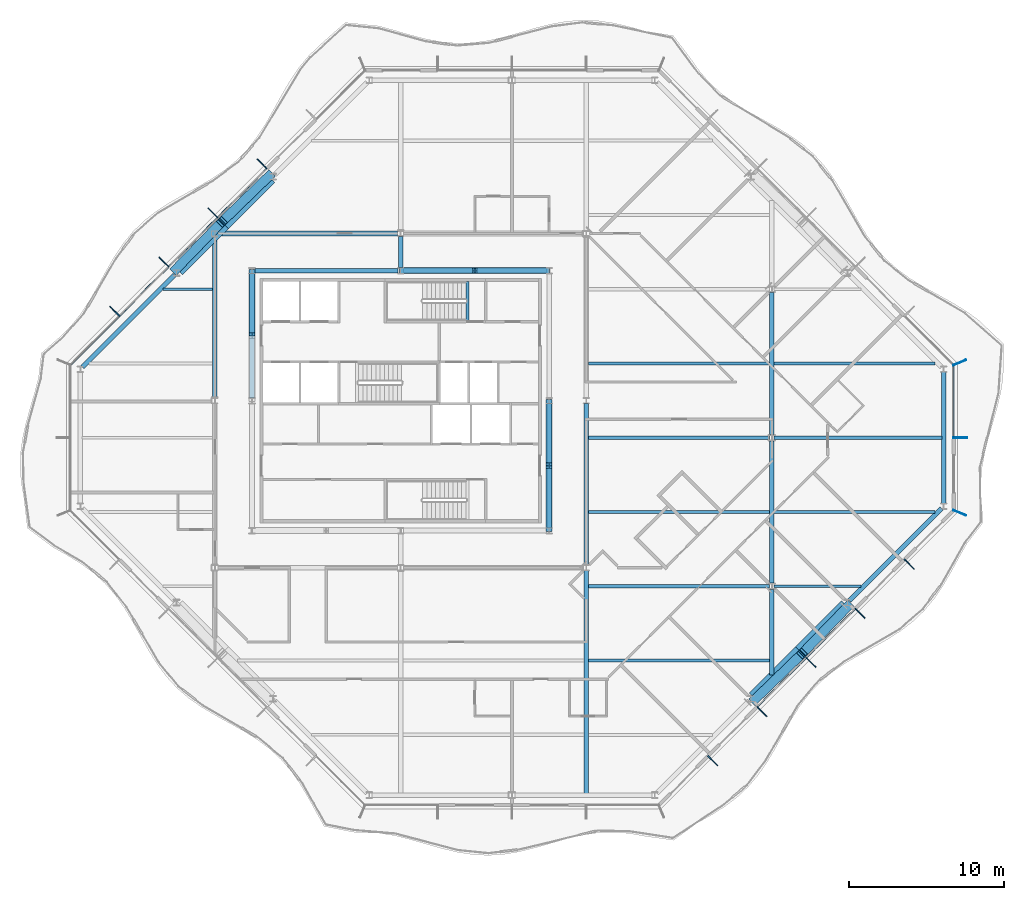
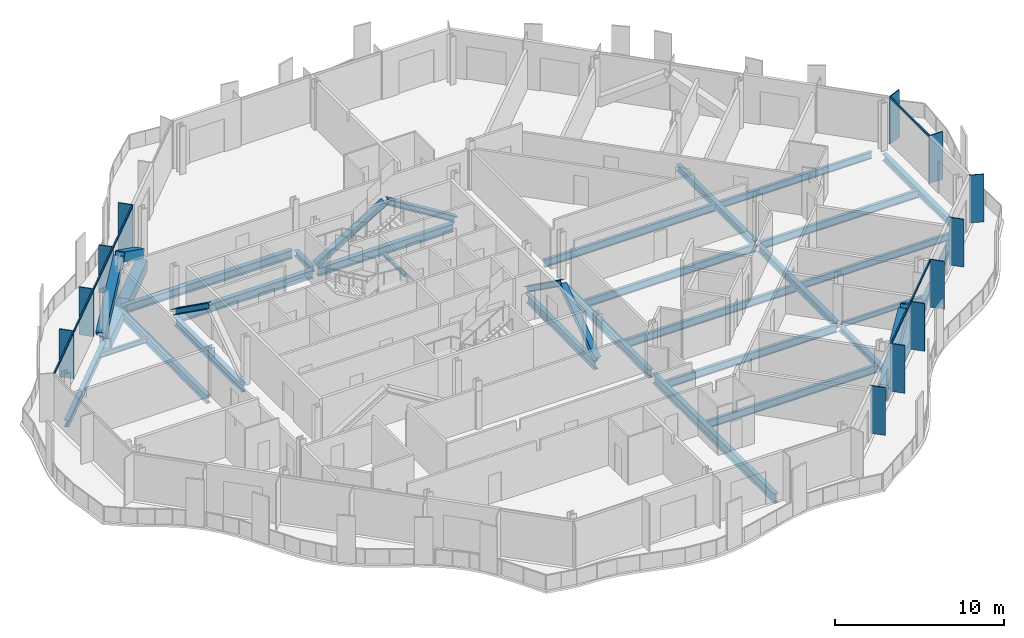
# One storey, part 4 of 17: 30 beams, 28 members, 4 elements without a shape of their own.
"""IFC4 building model written with IfcOpenShell, lengths in metres."""

from ifc_helpers import new_model, si_unit, direction, frame, origin, origin_2d, place, context, subcontext, project, spatial, rectangle, hollow_rectangle, i_section, extrude, material, material_profile, profile_set, type_object, element, aggregate, save


model = new_model("IFC4")

# Units and contexts
model_context = context("Model", 3, precision=1e-05, world=origin(), true_north=direction((0.0, 1.0)))
body_context = subcontext(model_context, "Body", "Model", "MODEL_VIEW")
ifc_project = project(units=[si_unit("LENGTHUNIT", "METRE"), si_unit("AREAUNIT", "SQUARE_METRE"), si_unit("VOLUMEUNIT", "CUBIC_METRE"), si_unit("PLANEANGLEUNIT", "RADIAN"), si_unit("MASSUNIT", "GRAM", prefix="KILO")], contexts=[model_context])

# Site, building, storey
site_placement = place(None, origin())
site = spatial("IfcSite", under=ifc_project, at=site_placement, CompositionType="ELEMENT")
building_placement = place(site_placement, origin())
building = spatial("IfcBuilding", under=site, at=building_placement, Name="Cairn Pilgrim Tower", CompositionType="ELEMENT")
storey_placement = place(building_placement, frame((0.0, 0.0, 243.0)))
storey = spatial("IfcBuildingStorey", under=building, at=storey_placement, Name="L62", CompositionType="ELEMENT", Elevation=243.0)

# Members
ifc_material_1 = material(Name="Structural steel S460M", Category="steel")
ifc_material_profile_1 = material_profile(ifc_material_1, hollow_rectangle(XDim=0.60009765625, YDim=0.60009765625, WallThickness=0.034912109375, at=origin_2d()), Name="BOX 600x600x35")
ifc_profile_set_1 = profile_set([ifc_material_profile_1], Name="Structural steel S460M")
member_type_1 = type_object("IfcMemberType", Name="BOX 600x600x35 BRACE", PredefinedType="BRACE", material=ifc_profile_set_1)
for number, where, z_axis, x_axis, name in (
    (1, (30.01318359375, -16.99462890625, 0.14990234375), (0.611806144004, 0.593141693494, 0.523331800675), (-0.696070308653, 0.717973624454, 0.0), "XB-SE2-SE3-1"),
    (2, (36.194580078125, -10.813232421875, 0.14990234375), (-0.593141693494, -0.611806144004, 0.523331800675), (0.717973624454, -0.696070308653, 0.0), "XB-SE2-SE3-2"),
    (3, (-1.213134765625, 16.99462890625, 0.14990234375), (-0.611806144004, -0.593141693494, 0.523331800675), (0.696070308653, -0.717973624454, 0.0), "XB-NW2-NW3-1"),
    (4, (-7.394775390625, 10.813232421875, 0.14990234375), (0.593141693494, 0.611806144004, 0.523331800675), (-0.717973624454, 0.696070308653, 0.0), "XB-NW2-NW3-2"),
):
    element("IfcMember", number, at=place(storey_placement, frame(where, z_axis=z_axis, x_axis=x_axis)), inside=storey, type_object=member_type_1, Name=name, PredefinedType="BRACE", context=body_context, shape_type="SweptSolid", body=[
        extrude(hollow_rectangle(XDim=0.60009765625, YDim=0.60009765625, WallThickness=0.034912109375, at=origin_2d()), origin(), (0.0, 0.0, 1.0), 5.035888671875),
    ])

# Beams
ifc_material_2 = material(Name="Structural steel S355J2", Category="steel")
ifc_material_profile_2 = material_profile(ifc_material_2, hollow_rectangle(XDim=0.699951171875, YDim=0.800048828125, WallThickness=0.0400390625, at=origin_2d()), Name="BOX 700x800x40")
ifc_profile_set_2 = profile_set([ifc_material_profile_2], Name="Structural steel S355J2")
beam_type_1 = type_object("IfcBeamType", Name="BOX 700x800x40 RING GIRDER", PredefinedType="SPANDREL", material=ifc_profile_set_2)
for number, where, z_axis, x_axis, name in (
    (5, (29.97998046875, -16.747314453125, -0.550048828125), (0.707106781187, 0.707106781187, 0.0), (-0.707106781187, 0.707106781187, 0.0), "RG3-SE2-SE3-1"),
    (6, (32.963623046875, -13.763671875, -0.550048828125), (0.707106781187, 0.707106781187, 0.0), (-0.707106781187, 0.707106781187, 0.0), "RG3-SE2-SE3-2"),
    (7, (-1.179931640625, 16.747314453125, -0.550048828125), (-0.707106781187, -0.707106781187, 0.0), (0.707106781187, -0.707106781187, 0.0), "RG3-NW2-NW3-1"),
    (8, (-4.16357421875, 13.763671875, -0.550048828125), (-0.707106781187, -0.707106781187, 0.0), (0.707106781187, -0.707106781187, 0.0), "RG3-NW2-NW3-2"),
):
    element("IfcBeam", number, at=place(storey_placement, frame(where, z_axis=z_axis, x_axis=x_axis)), inside=storey, type_object=beam_type_1, Name=name, PredefinedType="SPANDREL", context=body_context, shape_type="SweptSolid", body=[
        extrude(hollow_rectangle(XDim=0.699951171875, YDim=0.800048828125, WallThickness=0.0400390625, at=origin_2d()), origin(), (0.0, 0.0, 1.0), 4.219482421875),
    ])

# Curtain wall, members
ifc_material_3 = material(Name="Aluminium alloy 6063-T6 bronze anodised with Bronze tinted laminated low-E glass 8+16+8.8", Category="aluminium")
curtain_wall_type_1 = type_object("IfcCurtainWallType", Name="CHAMFER CORNER CURTAIN WALL", PredefinedType="NOTDEFINED", material=ifc_material_3)
curtain_wall_1_placement = place(storey_placement, origin())
curtain_wall_1 = element("IfcCurtainWall", 9, at=curtain_wall_1_placement, inside=storey, type_object=curtain_wall_type_1, Name="Chamfer Corner Curtain Wall SE", PredefinedType="NOTDEFINED")
ifc_material_4 = material(Name="Aluminium alloy 6063-T6 bronze anodised", Category="aluminium")
ifc_material_profile_3 = material_profile(ifc_material_4, rectangle(XDim=0.89990234375, YDim=0.06005859375, at=origin_2d()), Name="FIN MULLION 60x900 BRONZE")
ifc_profile_set_3 = profile_set([ifc_material_profile_3], Name="Aluminium alloy 6063-T6 bronze anodised")
member_type_2 = type_object("IfcMemberType", Name="FIN MULLION 60x900 BRONZE", PredefinedType="MULLION", material=ifc_profile_set_3)
member_1_placement = place(storey_placement, frame((27.369140625, -20.871337890625, 0.0), z_axis=(0.0, 0.0, 1.0), x_axis=(0.707106781187, -0.707106781187, 0.0)))
member_1 = element("IfcMember", 10, at=member_1_placement, type_object=member_type_2, Name="Fin mullion SE2", PredefinedType="MULLION", context=body_context, shape_type="SweptSolid", body=[
    extrude(rectangle(XDim=0.89990234375, YDim=0.06005859375, at=origin_2d()), origin(), (0.0, 0.0, 1.0), 3.449951171875),
])
member_2_placement = place(storey_placement, frame((30.544677734375, -17.69580078125, 0.0), z_axis=(0.0, 0.0, 1.0), x_axis=(0.707106781187, -0.707106781187, 0.0)))
member_2 = element("IfcMember", 11, at=member_2_placement, type_object=member_type_2, Name="Fin mullion SE3", PredefinedType="MULLION", context=body_context, shape_type="SweptSolid", body=[
    extrude(rectangle(XDim=0.89990234375, YDim=0.06005859375, at=origin_2d()), origin(), (0.0, 0.0, 1.0), 3.449951171875),
])
member_3_placement = place(storey_placement, frame((33.72021484375, -14.520263671875, 0.0), z_axis=(0.0, 0.0, 1.0), x_axis=(0.707106781187, -0.707106781187, 0.0)))
member_3 = element("IfcMember", 12, at=member_3_placement, type_object=member_type_2, Name="Fin mullion SE4", PredefinedType="MULLION", context=body_context, shape_type="SweptSolid", body=[
    extrude(rectangle(XDim=0.89990234375, YDim=0.06005859375, at=origin_2d()), origin(), (0.0, 0.0, 1.0), 3.449951171875),
])
member_4_placement = place(storey_placement, frame((36.895751953125, -11.3447265625, 0.0), z_axis=(0.0, 0.0, 1.0), x_axis=(0.707106781187, -0.707106781187, 0.0)))
member_4 = element("IfcMember", 13, at=member_4_placement, type_object=member_type_2, Name="Fin mullion SE5", PredefinedType="MULLION", context=body_context, shape_type="SweptSolid", body=[
    extrude(rectangle(XDim=0.89990234375, YDim=0.06005859375, at=origin_2d()), origin(), (0.0, 0.0, 1.0), 3.449951171875),
])
member_5_placement = place(storey_placement, frame((40.0712890625, -8.1689453125, 0.0), z_axis=(0.0, 0.0, 1.0), x_axis=(0.707106781187, -0.707106781187, 0.0)))
member_5 = element("IfcMember", 14, at=member_5_placement, type_object=member_type_2, Name="Fin mullion SE6", PredefinedType="MULLION", context=body_context, shape_type="SweptSolid", body=[
    extrude(rectangle(XDim=0.89990234375, YDim=0.06005859375, at=origin_2d()), origin(), (0.0, 0.0, 1.0), 3.449951171875),
])

curtain_wall_type_2 = type_object("IfcCurtainWallType", Name="TOWER STICK CURTAIN WALL EW", PredefinedType="NOTDEFINED", material=ifc_material_3)
curtain_wall_2_placement = place(storey_placement, origin())
curtain_wall_2 = element("IfcCurtainWall", 15, at=curtain_wall_2_placement, inside=storey, type_object=curtain_wall_type_2, Name="Tower Stick Curtain Wall Ew E", PredefinedType="NOTDEFINED")
member_6_placement = place(storey_placement, frame((43.338134765625, -4.857177734375, 0.0), z_axis=(0.0, 0.0, 1.0), x_axis=(0.923879532511, -0.382683432365, 0.0)))
member_6 = element("IfcMember", 16, at=member_6_placement, type_object=member_type_2, Name="Fin mullion E1", PredefinedType="MULLION", context=body_context, shape_type="SweptSolid", body=[
    extrude(rectangle(XDim=0.89990234375, YDim=0.06005859375, at=origin_2d()), origin(), (0.0, 0.0, 1.0), 3.449951171875),
])
member_7_placement = place(storey_placement, frame((43.3701171875, 0.0, 0.0), z_axis=(0.0, 0.0, 1.0), x_axis=(1.0, 0.0, 0.0)))
member_7 = element("IfcMember", 17, at=member_7_placement, type_object=member_type_2, Name="Fin mullion E2", PredefinedType="MULLION", context=body_context, shape_type="SweptSolid", body=[
    extrude(rectangle(XDim=0.89990234375, YDim=0.06005859375, at=origin_2d()), origin(), (0.0, 0.0, 1.0), 3.449951171875),
])

# Curtain wall, member
curtain_wall_3_placement = place(storey_placement, origin())
curtain_wall_3 = element("IfcCurtainWall", 18, at=curtain_wall_3_placement, inside=storey, type_object=curtain_wall_type_1, Name="Chamfer Corner Curtain Wall NE", PredefinedType="NOTDEFINED")
member_8_placement = place(storey_placement, frame((43.338134765625, 4.857177734375, 0.0), z_axis=(0.0, 0.0, 1.0), x_axis=(0.923879532511, 0.382683432365, 0.0)))
member_8 = element("IfcMember", 19, at=member_8_placement, type_object=member_type_2, Name="Fin mullion NE1", PredefinedType="MULLION", context=body_context, shape_type="SweptSolid", body=[
    extrude(rectangle(XDim=0.89990234375, YDim=0.06005859375, at=origin_2d()), origin(), (0.0, 0.0, 1.0), 3.449951171875),
])
aggregate(curtain_wall_3, [member_8])

# Curtain wall, members
curtain_wall_4_placement = place(storey_placement, origin())
curtain_wall_4 = element("IfcCurtainWall", 20, at=curtain_wall_4_placement, inside=storey, type_object=curtain_wall_type_1, Name="Chamfer Corner Curtain Wall NW", PredefinedType="NOTDEFINED")
member_9_placement = place(storey_placement, frame((-1.74462890625, 17.69580078125, 0.0), z_axis=(0.0, 0.0, 1.0), x_axis=(-0.707106781187, 0.707106781187, 0.0)))
member_9 = element("IfcMember", 21, at=member_9_placement, type_object=member_type_2, Name="Fin mullion NW3", PredefinedType="MULLION", context=body_context, shape_type="SweptSolid", body=[
    extrude(rectangle(XDim=0.89990234375, YDim=0.06005859375, at=origin_2d()), origin(), (0.0, 0.0, 1.0), 3.449951171875),
])
member_10_placement = place(storey_placement, frame((-4.920166015625, 14.520263671875, 0.0), z_axis=(0.0, 0.0, 1.0), x_axis=(-0.707106781187, 0.707106781187, 0.0)))
member_10 = element("IfcMember", 22, at=member_10_placement, type_object=member_type_2, Name="Fin mullion NW4", PredefinedType="MULLION", context=body_context, shape_type="SweptSolid", body=[
    extrude(rectangle(XDim=0.89990234375, YDim=0.06005859375, at=origin_2d()), origin(), (0.0, 0.0, 1.0), 3.449951171875),
])
member_11_placement = place(storey_placement, frame((-8.095703125, 11.3447265625, 0.0), z_axis=(0.0, 0.0, 1.0), x_axis=(-0.707106781187, 0.707106781187, 0.0)))
member_11 = element("IfcMember", 23, at=member_11_placement, type_object=member_type_2, Name="Fin mullion NW5", PredefinedType="MULLION", context=body_context, shape_type="SweptSolid", body=[
    extrude(rectangle(XDim=0.89990234375, YDim=0.06005859375, at=origin_2d()), origin(), (0.0, 0.0, 1.0), 3.449951171875),
])
member_12_placement = place(storey_placement, frame((-11.271484375, 8.1689453125, 0.0), z_axis=(0.0, 0.0, 1.0), x_axis=(-0.707106781187, 0.707106781187, 0.0)))
member_12 = element("IfcMember", 24, at=member_12_placement, type_object=member_type_2, Name="Fin mullion NW6", PredefinedType="MULLION", context=body_context, shape_type="SweptSolid", body=[
    extrude(rectangle(XDim=0.89990234375, YDim=0.06005859375, at=origin_2d()), origin(), (0.0, 0.0, 1.0), 3.449951171875),
])

# Members
ifc_material_profile_4 = material_profile(ifc_material_2, i_section(OverallWidth=0.39794921875, OverallDepth=0.386962890625, WebThickness=0.02099609375, FlangeThickness=0.033203125, FilletRadius=0.014892578125, at=origin_2d()), Name="HD 400x262")
ifc_profile_set_4 = profile_set([ifc_material_profile_4], Name="Structural steel S355J2")
member_type_3 = type_object("IfcMemberType", Name="HD 400x262 BRACE", PredefinedType="BRACE", material=ifc_profile_set_4)
for number, where, z_axis, x_axis, name in (
    (25, (16.800048828125, -5.960205078125, 0.10009765625), (0.0, 0.814462005215, 0.580216892258), (-1.0, 0.0, 0.0), "KB-2A"),
    (26, (16.800048828125, 2.360107421875, 0.10009765625), (0.0, -0.814462005215, 0.580216892258), (1.0, 0.0, 0.0), "KB-2B"),
):
    element("IfcMember", number, at=place(storey_placement, frame(where, z_axis=z_axis, x_axis=x_axis)), inside=storey, type_object=member_type_3, Name=name, PredefinedType="BRACE", context=body_context, shape_type="SweptSolid", body=[
        extrude(i_section(OverallWidth=0.39794921875, OverallDepth=0.386962890625, WebThickness=0.02099609375, FlangeThickness=0.033203125, FilletRadius=0.014892578125, at=origin_2d()), origin(), (0.0, 0.0, 1.0), 4.999755859375),
    ])
for number, where, z_axis, x_axis, name in (
    (27, (16.76025390625, 10.800048828125, 0.10009765625), (-0.85122905108, 0.0, 0.524794343145), (0.0, -1.0, 0.0), "KB-3A"),
    (28, (7.23974609375, 10.800048828125, 0.10009765625), (0.85122905108, 0.0, 0.524794343145), (0.0, 1.0, 0.0), "KB-3B"),
):
    element("IfcMember", number, at=place(storey_placement, frame(where, z_axis=z_axis, x_axis=x_axis)), inside=storey, type_object=member_type_3, Name=name, PredefinedType="BRACE", context=body_context, shape_type="SweptSolid", body=[
        extrude(i_section(OverallWidth=0.39794921875, OverallDepth=0.386962890625, WebThickness=0.02099609375, FlangeThickness=0.033203125, FilletRadius=0.014892578125, at=origin_2d()), origin(), (0.0, 0.0, 1.0), 5.530029296875),
    ])
member_13_placement = place(storey_placement, frame((-2.39990234375, 10.76025390625, 0.10009765625), z_axis=(0.0, -0.814462005215, 0.580216892258), x_axis=(1.0, 0.0, 0.0)))
element("IfcMember", 29, at=member_13_placement, inside=storey, type_object=member_type_3, Name="KB-4A", PredefinedType="BRACE", context=body_context, shape_type="SweptSolid", body=[
    extrude(i_section(OverallWidth=0.39794921875, OverallDepth=0.386962890625, WebThickness=0.02099609375, FlangeThickness=0.033203125, FilletRadius=0.014892578125, at=origin_2d()), origin(), (0.0, 0.0, 1.0), 4.999755859375),
])

# Beams
ifc_material_profile_5 = material_profile(ifc_material_2, i_section(OverallWidth=0.300048828125, OverallDepth=0.39990234375, WebThickness=0.013427734375, FlangeThickness=0.02392578125, FilletRadius=0.027099609375, at=origin_2d()), Name="HEB 400")
ifc_profile_set_5 = profile_set([ifc_material_profile_5], Name="Structural steel S355J2")
beam_type_2 = type_object("IfcBeamType", Name="HEB 400 GIRDER", PredefinedType="BEAM", material=ifc_profile_set_5)
beam_1_placement = place(storey_placement, frame((7.199951171875, 10.9990234375, -0.35009765625), z_axis=(0.0, 1.0, 0.0), x_axis=(-1.0, 0.0, 0.0)))
element("IfcBeam", 30, at=beam_1_placement, inside=storey, type_object=beam_type_2, Name="PG3-E2", PredefinedType="BEAM", context=body_context, shape_type="SweptSolid", body=[
    extrude(i_section(OverallWidth=0.300048828125, OverallDepth=0.39990234375, WebThickness=0.013427734375, FlangeThickness=0.02392578125, FilletRadius=0.027099609375, at=origin_2d()), origin(), (0.0, 0.0, 1.0), 2.00390625),
])
beam_2_placement = place(storey_placement, frame((31.199951171875, -15.34521484375, -0.35009765625), z_axis=(0.0, 1.0, 0.0), x_axis=(-1.0, 0.0, 0.0)))
element("IfcBeam", 31, at=beam_2_placement, inside=storey, type_object=beam_type_2, Name="PG5-1", PredefinedType="BEAM", context=body_context, shape_type="SweptSolid", body=[
    extrude(i_section(OverallWidth=0.300048828125, OverallDepth=0.39990234375, WebThickness=0.013427734375, FlangeThickness=0.02392578125, FilletRadius=0.027099609375, at=origin_2d()), origin(), (0.0, 0.0, 1.0), 5.545654296875),
])
ifc_material_profile_6 = material_profile(ifc_material_2, i_section(OverallWidth=0.300048828125, OverallDepth=0.5, WebThickness=0.014404296875, FlangeThickness=0.028076171875, FilletRadius=0.027099609375, at=origin_2d()), Name="HEB 500")
ifc_profile_set_6 = profile_set([ifc_material_profile_6], Name="Structural steel S355J2")
beam_type_3 = type_object("IfcBeamType", Name="HEB 500 GIRDER", PredefinedType="BEAM", material=ifc_profile_set_6)
for number, where, z_axis, x_axis, name in (
    (32, (31.199951171875, -9.400390625, -0.39990234375), (0.0, 1.0, 0.0), (-1.0, 0.0, 0.0), "PG5-2"),
    (33, (31.199951171875, 0.199462890625, -0.39990234375), (0.0, 1.0, 0.0), (-1.0, 0.0, 0.0), "PG5-3"),
):
    element("IfcBeam", number, at=place(storey_placement, frame(where, z_axis=z_axis, x_axis=x_axis)), inside=storey, type_object=beam_type_3, Name=name, PredefinedType="BEAM", context=body_context, shape_type="SweptSolid", body=[
        extrude(i_section(OverallWidth=0.300048828125, OverallDepth=0.5, WebThickness=0.014404296875, FlangeThickness=0.028076171875, FilletRadius=0.027099609375, at=origin_2d()), origin(), (0.0, 0.0, 1.0), 9.200927734375),
    ])
ifc_material_profile_7 = material_profile(ifc_material_2, i_section(OverallWidth=0.300048828125, OverallDepth=0.5, WebThickness=0.014404296875, FlangeThickness=0.028076171875, FilletRadius=0.027099609375, at=origin_2d()), Name="HEB 500")
ifc_profile_set_7 = profile_set([ifc_material_profile_7], Name="Structural steel S355J2")
beam_type_4 = type_object("IfcBeamType", Name="HEB 500 RING GIRDER", PredefinedType="SPANDREL", material=ifc_profile_set_7)
beam_3_placement = place(storey_placement, frame((36.204345703125, -10.52294921875, -0.39990234375), z_axis=(0.707106781187, 0.707106781187, 0.0), x_axis=(-0.707106781187, 0.707106781187, 0.0)))
element("IfcBeam", 34, at=beam_3_placement, inside=storey, type_object=beam_type_4, Name="RG3-SE3-E1", PredefinedType="SPANDREL", context=body_context, shape_type="SweptSolid", body=[
    extrude(i_section(OverallWidth=0.300048828125, OverallDepth=0.5, WebThickness=0.014404296875, FlangeThickness=0.028076171875, FilletRadius=0.027099609375, at=origin_2d()), origin(), (0.0, 0.0, 1.0), 8.438720703125),
])
beam_4_placement = place(storey_placement, frame((42.300048828125, -4.245361328125, -0.39990234375), z_axis=(0.0, 1.0, 0.0), x_axis=(-1.0, 0.0, 0.0)))
element("IfcBeam", 35, at=beam_4_placement, inside=storey, type_object=beam_type_4, Name="RG3-E1-NE1", PredefinedType="SPANDREL", context=body_context, shape_type="SweptSolid", body=[
    extrude(i_section(OverallWidth=0.300048828125, OverallDepth=0.5, WebThickness=0.014404296875, FlangeThickness=0.028076171875, FilletRadius=0.027099609375, at=origin_2d()), origin(), (0.0, 0.0, 1.0), 8.49072265625),
])
beam_5_placement = place(storey_placement, frame((-7.404296875, 10.52294921875, -0.39990234375), z_axis=(-0.707106781187, -0.707106781187, 0.0), x_axis=(0.707106781187, -0.707106781187, 0.0)))
element("IfcBeam", 36, at=beam_5_placement, inside=storey, type_object=beam_type_4, Name="RG3-NW3-W1", PredefinedType="SPANDREL", context=body_context, shape_type="SweptSolid", body=[
    extrude(i_section(OverallWidth=0.300048828125, OverallDepth=0.5, WebThickness=0.014404296875, FlangeThickness=0.028076171875, FilletRadius=0.027099609375, at=origin_2d()), origin(), (0.0, 0.0, 1.0), 8.438720703125),
])
ifc_material_profile_8 = material_profile(ifc_material_2, i_section(OverallWidth=0.300048828125, OverallDepth=0.60009765625, WebThickness=0.015380859375, FlangeThickness=0.030029296875, FilletRadius=0.027099609375, at=origin_2d()), Name="HEB 600")
ifc_profile_set_8 = profile_set([ifc_material_profile_8], Name="Structural steel S355J2")
beam_type_5 = type_object("IfcBeamType", Name="HEB 600 CORE BEAM", PredefinedType="BEAM", material=ifc_profile_set_8)
beam_6_placement = place(storey_placement, frame((16.800048828125, -5.82080078125, -0.449951171875), z_axis=(0.0, 1.0, 0.0), x_axis=(-1.0, 0.0, 0.0)))
element("IfcBeam", 37, at=beam_6_placement, inside=storey, type_object=beam_type_5, Name="CB-3", PredefinedType="BEAM", context=body_context, shape_type="SweptSolid", body=[
    extrude(i_section(OverallWidth=0.300048828125, OverallDepth=0.60009765625, WebThickness=0.015380859375, FlangeThickness=0.030029296875, FilletRadius=0.027099609375, at=origin_2d()), origin(), (0.0, 0.0, 1.0), 8.041748046875),
])
beam_7_placement = place(storey_placement, frame((16.620849609375, 10.800048828125, -0.449951171875), z_axis=(-1.0, 0.0, 0.0), x_axis=(0.0, -1.0, 0.0)))
element("IfcBeam", 38, at=beam_7_placement, inside=storey, type_object=beam_type_5, Name="CB-5", PredefinedType="BEAM", context=body_context, shape_type="SweptSolid", body=[
    extrude(i_section(OverallWidth=0.300048828125, OverallDepth=0.60009765625, WebThickness=0.015380859375, FlangeThickness=0.030029296875, FilletRadius=0.027099609375, at=origin_2d()), origin(), (0.0, 0.0, 1.0), 9.24169921875),
])
beam_8_placement = place(storey_placement, frame((7.02099609375, 10.800048828125, -0.449951171875), z_axis=(-1.0, 0.0, 0.0), x_axis=(0.0, -1.0, 0.0)))
element("IfcBeam", 39, at=beam_8_placement, inside=storey, type_object=beam_type_5, Name="CB-6", PredefinedType="BEAM", context=body_context, shape_type="SweptSolid", body=[
    extrude(i_section(OverallWidth=0.300048828125, OverallDepth=0.60009765625, WebThickness=0.015380859375, FlangeThickness=0.030029296875, FilletRadius=0.027099609375, at=origin_2d()), origin(), (0.0, 0.0, 1.0), 9.241943359375),
])
beam_9_placement = place(storey_placement, frame((-2.39990234375, 10.620849609375, -0.449951171875), z_axis=(0.0, -1.0, 0.0), x_axis=(1.0, 0.0, 0.0)))
element("IfcBeam", 40, at=beam_9_placement, inside=storey, type_object=beam_type_5, Name="CB-7", PredefinedType="BEAM", context=body_context, shape_type="SweptSolid", body=[
    extrude(i_section(OverallWidth=0.300048828125, OverallDepth=0.60009765625, WebThickness=0.015380859375, FlangeThickness=0.030029296875, FilletRadius=0.027099609375, at=origin_2d()), origin(), (0.0, 0.0, 1.0), 8.041748046875),
])
ifc_material_profile_9 = material_profile(ifc_material_2, i_section(OverallWidth=0.300048828125, OverallDepth=0.60009765625, WebThickness=0.015380859375, FlangeThickness=0.030029296875, FilletRadius=0.027099609375, at=origin_2d()), Name="HEB 600")
ifc_profile_set_9 = profile_set([ifc_material_profile_9], Name="Structural steel S355J2")
beam_type_6 = type_object("IfcBeamType", Name="HEB 600 GIRDER", PredefinedType="BEAM", material=ifc_profile_set_9)
beam_10_placement = place(storey_placement, frame((-4.800048828125, 2.596923828125, -0.449951171875), z_axis=(0.0, 1.0, 0.0), x_axis=(-1.0, 0.0, 0.0)))
element("IfcBeam", 41, at=beam_10_placement, inside=storey, type_object=beam_type_6, Name="PG2-3", PredefinedType="BEAM", context=body_context, shape_type="SweptSolid", body=[
    extrude(i_section(OverallWidth=0.300048828125, OverallDepth=0.60009765625, WebThickness=0.015380859375, FlangeThickness=0.030029296875, FilletRadius=0.027099609375, at=origin_2d()), origin(), (0.0, 0.0, 1.0), 10.34814453125),
])
beam_11_placement = place(storey_placement, frame((19.199951171875, -8.202880859375, -0.449951171875), z_axis=(0.0, 1.0, 0.0), x_axis=(-1.0, 0.0, 0.0)))
element("IfcBeam", 42, at=beam_11_placement, inside=storey, type_object=beam_type_6, Name="PG4-2", PredefinedType="BEAM", context=body_context, shape_type="SweptSolid", body=[
    extrude(i_section(OverallWidth=0.300048828125, OverallDepth=0.60009765625, WebThickness=0.015380859375, FlangeThickness=0.030029296875, FilletRadius=0.027099609375, at=origin_2d()), origin(), (0.0, 0.0, 1.0), 10.40576171875),
])
ifc_material_profile_10 = material_profile(ifc_material_2, i_section(OverallWidth=0.300048828125, OverallDepth=0.60009765625, WebThickness=0.015380859375, FlangeThickness=0.030029296875, FilletRadius=0.027099609375, at=origin_2d()), Name="HEB 600")
ifc_profile_set_10 = profile_set([ifc_material_profile_10], Name="Structural steel S355J2")
beam_type_7 = type_object("IfcBeamType", Name="HEB 600 INNER GIRDER", PredefinedType="BEAM", material=ifc_profile_set_10)
beam_12_placement = place(storey_placement, frame((-4.60302734375, 13.199951171875, -0.449951171875), z_axis=(1.0, 0.0, 0.0), x_axis=(0.0, 1.0, 0.0)))
element("IfcBeam", 43, at=beam_12_placement, inside=storey, type_object=beam_type_7, Name="IG2-1", PredefinedType="BEAM", context=body_context, shape_type="SweptSolid", body=[
    extrude(i_section(OverallWidth=0.300048828125, OverallDepth=0.60009765625, WebThickness=0.015380859375, FlangeThickness=0.030029296875, FilletRadius=0.027099609375, at=origin_2d()), origin(), (0.0, 0.0, 1.0), 11.60595703125),
])
ifc_material_profile_11 = material_profile(ifc_material_2, i_section(OverallWidth=0.300048828125, OverallDepth=0.699951171875, WebThickness=0.01708984375, FlangeThickness=0.031982421875, FilletRadius=0.027099609375, at=origin_2d()), Name="HEB 700")
ifc_profile_set_11 = profile_set([ifc_material_profile_11], Name="Structural steel S355J2")
beam_type_8 = type_object("IfcBeamType", Name="HEB 700 GIRDER", PredefinedType="BEAM", material=ifc_profile_set_11)
beam_13_placement = place(storey_placement, frame((19.199951171875, -22.97998046875, -0.5), z_axis=(0.0, 1.0, 0.0), x_axis=(-1.0, 0.0, 0.0)))
element("IfcBeam", 44, at=beam_13_placement, inside=storey, type_object=beam_type_8, Name="PG4-1", PredefinedType="BEAM", context=body_context, shape_type="SweptSolid", body=[
    extrude(i_section(OverallWidth=0.300048828125, OverallDepth=0.699951171875, WebThickness=0.01708984375, FlangeThickness=0.031982421875, FilletRadius=0.027099609375, at=origin_2d()), origin(), (0.0, 0.0, 1.0), 14.383056640625),
])
ifc_material_profile_12 = material_profile(ifc_material_2, i_section(OverallWidth=0.169921875, OverallDepth=0.360107421875, WebThickness=0.008056640625, FlangeThickness=0.0126953125, FilletRadius=0.01806640625, at=origin_2d()), Name="IPE 360")
ifc_profile_set_12 = profile_set([ifc_material_profile_12], Name="Structural steel S355J2")
beam_type_9 = type_object("IfcBeamType", Name="IPE 360 SECONDARY BEAM", PredefinedType="JOIST", material=ifc_profile_set_12)
beam_14_placement = place(storey_placement, frame((31.35009765625, -9.60009765625, -0.330078125), z_axis=(1.0, 0.0, 0.0), x_axis=(0.0, 1.0, 0.0)))
element("IfcBeam", 45, at=beam_14_placement, inside=storey, type_object=beam_type_9, Name="SB3-3", PredefinedType="JOIST", context=body_context, shape_type="SweptSolid", body=[
    extrude(i_section(OverallWidth=0.169921875, OverallDepth=0.360107421875, WebThickness=0.008056640625, FlangeThickness=0.0126953125, FilletRadius=0.01806640625, at=origin_2d()), origin(), (0.0, 0.0, 1.0), 5.594970703125),
])
beam_15_placement = place(storey_placement, frame((-8.14501953125, 9.60009765625, -0.330078125), z_axis=(1.0, 0.0, 0.0), x_axis=(0.0, 1.0, 0.0)))
element("IfcBeam", 46, at=beam_15_placement, inside=storey, type_object=beam_type_9, Name="SB7-1", PredefinedType="JOIST", context=body_context, shape_type="SweptSolid", body=[
    extrude(i_section(OverallWidth=0.169921875, OverallDepth=0.360107421875, WebThickness=0.008056640625, FlangeThickness=0.0126953125, FilletRadius=0.01806640625, at=origin_2d()), origin(), (0.0, 0.0, 1.0), 3.195068359375),
])
ifc_material_profile_13 = material_profile(ifc_material_2, i_section(OverallWidth=0.199951171875, OverallDepth=0.5, WebThickness=0.01025390625, FlangeThickness=0.01611328125, FilletRadius=0.02099609375, at=origin_2d()), Name="IPE 500")
ifc_profile_set_13 = profile_set([ifc_material_profile_13], Name="Structural steel S355J2")
beam_type_10 = type_object("IfcBeamType", Name="IPE 500 SECONDARY BEAM", PredefinedType="JOIST", material=ifc_profile_set_13)
for number, where, z_axis, x_axis, name in (
    (47, (31.35009765625, -4.800048828125, -0.39990234375), (1.0, 0.0, 0.0), (0.0, 1.0, 0.0), "SB4-3"),
    (48, (31.35009765625, 4.800048828125, -0.39990234375), (1.0, 0.0, 0.0), (0.0, 1.0, 0.0), "SB6-3"),
):
    element("IfcBeam", number, at=place(storey_placement, frame(where, z_axis=z_axis, x_axis=x_axis)), inside=storey, type_object=beam_type_10, Name=name, PredefinedType="JOIST", context=body_context, shape_type="SweptSolid", body=[
        extrude(i_section(OverallWidth=0.199951171875, OverallDepth=0.5, WebThickness=0.01025390625, FlangeThickness=0.01611328125, FilletRadius=0.02099609375, at=origin_2d()), origin(), (0.0, 0.0, 1.0), 10.39501953125),
    ])
ifc_material_profile_14 = material_profile(ifc_material_2, i_section(OverallWidth=0.2099609375, OverallDepth=0.550048828125, WebThickness=0.010986328125, FlangeThickness=0.01708984375, FilletRadius=0.02392578125, at=origin_2d()), Name="IPE 550")
ifc_profile_set_14 = profile_set([ifc_material_profile_14], Name="Structural steel S355J2")
beam_type_11 = type_object("IfcBeamType", Name="IPE 550 SECONDARY BEAM", PredefinedType="JOIST", material=ifc_profile_set_14)
for number, where, z_axis, x_axis, name in (
    (49, (19.35009765625, -14.39990234375, -0.425048828125), (1.0, 0.0, 0.0), (0.0, 1.0, 0.0), "SB2-3"),
    (50, (19.35009765625, -9.60009765625, -0.425048828125), (1.0, 0.0, 0.0), (0.0, 1.0, 0.0), "SB3-2"),
    (51, (19.35009765625, -4.800048828125, -0.425048828125), (1.0, 0.0, 0.0), (0.0, 1.0, 0.0), "SB4-2"),
    (52, (19.35009765625, 0.0, -0.425048828125), (1.0, 0.0, 0.0), (0.0, 1.0, 0.0), "SB5-2"),
):
    element("IfcBeam", number, at=place(storey_placement, frame(where, z_axis=z_axis, x_axis=x_axis)), inside=storey, type_object=beam_type_11, Name=name, PredefinedType="JOIST", context=body_context, shape_type="SweptSolid", body=[
        extrude(i_section(OverallWidth=0.2099609375, OverallDepth=0.550048828125, WebThickness=0.010986328125, FlangeThickness=0.01708984375, FilletRadius=0.02392578125, at=origin_2d()), origin(), (0.0, 0.0, 1.0), 11.699951171875),
    ])
beam_16_placement = place(storey_placement, frame((31.35009765625, 0.0, -0.425048828125), z_axis=(1.0, 0.0, 0.0), x_axis=(0.0, 1.0, 0.0)))
element("IfcBeam", 53, at=beam_16_placement, inside=storey, type_object=beam_type_11, Name="SB5-3", PredefinedType="JOIST", context=body_context, shape_type="SweptSolid", body=[
    extrude(i_section(OverallWidth=0.2099609375, OverallDepth=0.550048828125, WebThickness=0.010986328125, FlangeThickness=0.01708984375, FilletRadius=0.02392578125, at=origin_2d()), origin(), (0.0, 0.0, 1.0), 10.829833984375),
])
beam_17_placement = place(storey_placement, frame((19.35009765625, 4.800048828125, -0.425048828125), z_axis=(1.0, 0.0, 0.0), x_axis=(0.0, 1.0, 0.0)))
element("IfcBeam", 54, at=beam_17_placement, inside=storey, type_object=beam_type_11, Name="SB6-2", PredefinedType="JOIST", context=body_context, shape_type="SweptSolid", body=[
    extrude(i_section(OverallWidth=0.2099609375, OverallDepth=0.550048828125, WebThickness=0.010986328125, FlangeThickness=0.01708984375, FilletRadius=0.02392578125, at=origin_2d()), origin(), (0.0, 0.0, 1.0), 11.699951171875),
])
ifc_material_profile_15 = material_profile(ifc_material_2, i_section(OverallWidth=0.199951171875, OverallDepth=0.199951171875, WebThickness=0.009033203125, FlangeThickness=0.014892578125, FilletRadius=0.01806640625, at=origin_2d()), Name="HE 200 B")
ifc_profile_set_15 = profile_set([ifc_material_profile_15], Name="Structural steel S355J2")
beam_type_12 = type_object("IfcBeamType", Name="STAIR LANDING BEAM HE 200 B", PredefinedType="BEAM", material=ifc_profile_set_15)
beam_18_placement = place(storey_placement, frame((11.5244140625, 10.10009765625, -0.25), z_axis=(0.0, -1.0, 0.0), x_axis=(1.0, 0.0, 0.0)))
element("IfcBeam", 55, at=beam_18_placement, inside=storey, type_object=beam_type_12, Name="STAIR LANDING BEAM LD-HE200B", PredefinedType="BEAM", context=body_context, shape_type="SweptSolid", body=[
    extrude(i_section(OverallWidth=0.199951171875, OverallDepth=0.199951171875, WebThickness=0.009033203125, FlangeThickness=0.014892578125, FilletRadius=0.01806640625, at=origin_2d()), origin(), (0.0, 0.0, 1.0), 2.525146484375),
])

# Member
ifc_material_profile_16 = material_profile(ifc_material_4, rectangle(XDim=0.080078125, YDim=0.14990234375, at=origin_2d()), Name="TRANSOM 80x150 BRONZE")
ifc_profile_set_16 = profile_set([ifc_material_profile_16], Name="Aluminium alloy 6063-T6 bronze anodised")
member_type_4 = type_object("IfcMemberType", Name="TRANSOM 80x150 BRONZE", PredefinedType="USERDEFINED", material=ifc_profile_set_16)
member_14_placement = place(storey_placement, frame((30.268798828125, -17.377685546875, 3.375), z_axis=(0.707106781187, 0.707106781187, 0.0), x_axis=(-0.707106781187, 0.707106781187, 0.0)))
member_14 = element("IfcMember", 56, at=member_14_placement, type_object=member_type_4, Name="Transom SE3", ObjectType="TRANSOM", PredefinedType="USERDEFINED", context=body_context, shape_type="SweptSolid", body=[
    extrude(rectangle(XDim=0.080078125, YDim=0.14990234375, at=origin_2d()), origin(), (0.0, 0.0, 1.0), 4.43115234375),
])

member_15_placement = place(storey_placement, frame((33.4443359375, -14.201904296875, 3.375), z_axis=(0.707134329907, 0.707079231393, 0.0), x_axis=(-0.707079231393, 0.707134329907, 0.0)))
member_15 = element("IfcMember", 57, at=member_15_placement, type_object=member_type_4, Name="Transom SE4", ObjectType="TRANSOM", PredefinedType="USERDEFINED", context=body_context, shape_type="SweptSolid", body=[
    extrude(rectangle(XDim=0.080078125, YDim=0.14990234375, at=origin_2d()), origin(), (0.0, 0.0, 1.0), 4.430908203125),
])

aggregate(curtain_wall_1, [member_1, member_2, member_3, member_4, member_5, member_14, member_15])

member_16_placement = place(storey_placement, frame((42.949951171875, 0.030029296875, 3.375), z_axis=(0.0, 1.0, 0.0), x_axis=(-1.0, 0.0, 0.0)))
member_16 = element("IfcMember", 58, at=member_16_placement, type_object=member_type_4, Name="Transom E2", ObjectType="TRANSOM", PredefinedType="USERDEFINED", context=body_context, shape_type="SweptSolid", body=[
    extrude(rectangle(XDim=0.080078125, YDim=0.14990234375, at=origin_2d()), origin(), (0.0, 0.0, 1.0), 4.62646484375),
])

aggregate(curtain_wall_2, [member_6, member_7, member_16])

member_17_placement = place(storey_placement, frame((-1.46875, 17.377685546875, 3.375), z_axis=(-0.707106781187, -0.707106781187, 0.0), x_axis=(0.707106781187, -0.707106781187, 0.0)))
member_17 = element("IfcMember", 59, at=member_17_placement, type_object=member_type_4, Name="Transom NW3", ObjectType="TRANSOM", PredefinedType="USERDEFINED", context=body_context, shape_type="SweptSolid", body=[
    extrude(rectangle(XDim=0.080078125, YDim=0.14990234375, at=origin_2d()), origin(), (0.0, 0.0, 1.0), 4.43115234375),
])

member_18_placement = place(storey_placement, frame((-4.64453125, 14.201904296875, 3.375), z_axis=(-0.707106781187, -0.707106781187, 0.0), x_axis=(0.707106781187, -0.707106781187, 0.0)))
member_18 = element("IfcMember", 60, at=member_18_placement, type_object=member_type_4, Name="Transom NW4", ObjectType="TRANSOM", PredefinedType="USERDEFINED", context=body_context, shape_type="SweptSolid", body=[
    extrude(rectangle(XDim=0.080078125, YDim=0.14990234375, at=origin_2d()), origin(), (0.0, 0.0, 1.0), 4.430908203125),
])

member_19_placement = place(storey_placement, frame((-7.820068359375, 11.0263671875, 3.375), z_axis=(-0.707106781187, -0.707106781187, 0.0), x_axis=(0.707106781187, -0.707106781187, 0.0)))
member_19 = element("IfcMember", 61, at=member_19_placement, type_object=member_type_4, Name="Transom NW5", ObjectType="TRANSOM", PredefinedType="USERDEFINED", context=body_context, shape_type="SweptSolid", body=[
    extrude(rectangle(XDim=0.080078125, YDim=0.14990234375, at=origin_2d()), origin(), (0.0, 0.0, 1.0), 4.430908203125),
])

member_20_placement = place(storey_placement, frame((-10.99560546875, 7.850830078125, 3.375), z_axis=(-0.707106781187, -0.707106781187, 0.0), x_axis=(0.707106781187, -0.707106781187, 0.0)))
member_20 = element("IfcMember", 62, at=member_20_placement, type_object=member_type_4, Name="Transom NW6", ObjectType="TRANSOM", PredefinedType="USERDEFINED", context=body_context, shape_type="SweptSolid", body=[
    extrude(rectangle(XDim=0.080078125, YDim=0.14990234375, at=origin_2d()), origin(), (0.0, 0.0, 1.0), 4.421142578125),
])

aggregate(curtain_wall_4, [member_9, member_10, member_11, member_12, member_17, member_18, member_19, member_20])

save(model, "model.ifc")
